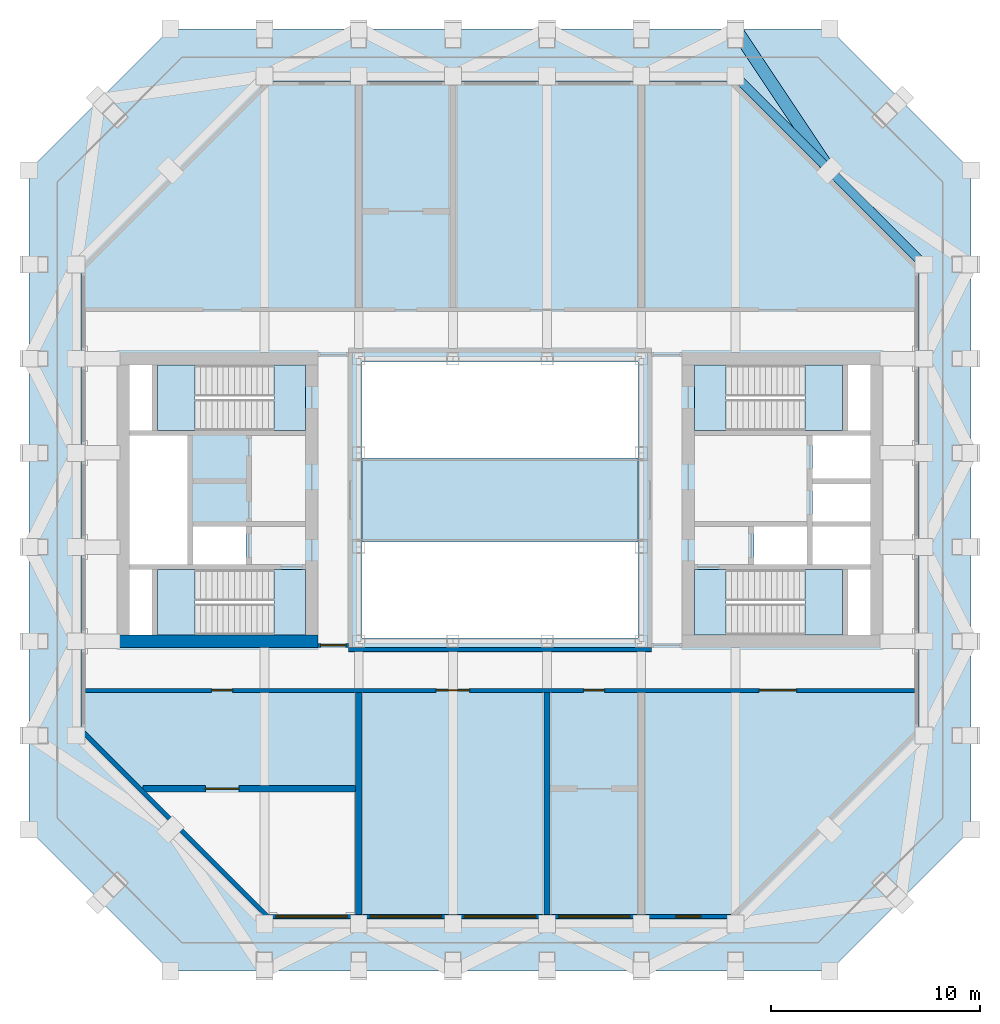
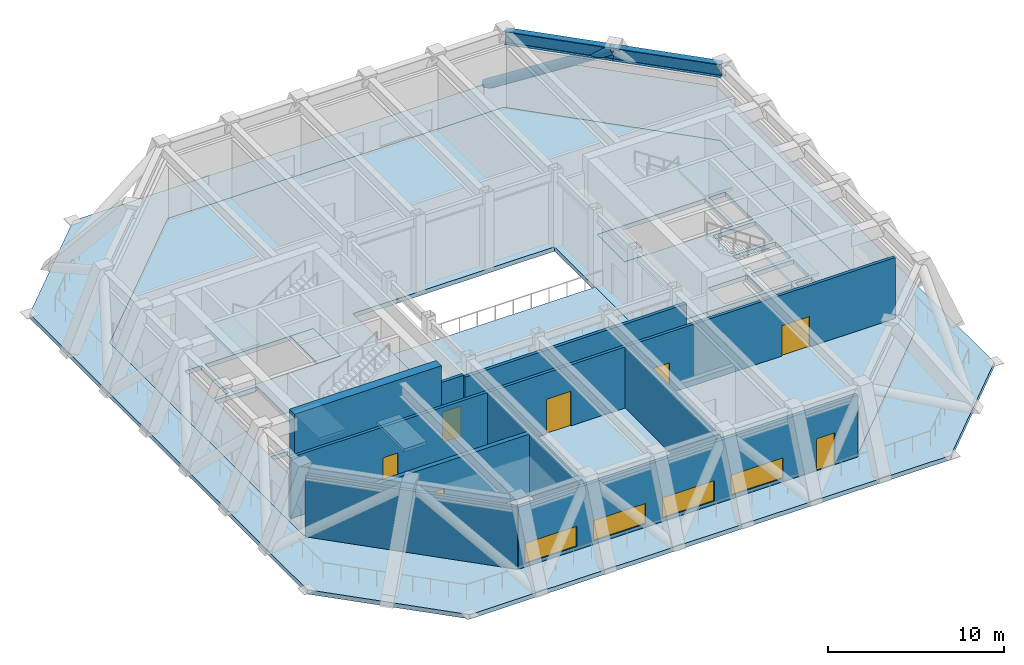
# One storey, part 2 of 8: 11 slabs, 9 walls, 7 doors, 4 windows, 2 beams, 1 member, 11 openings, 4 elements without a shape of their own.
"""IFC4 building model written with IfcOpenShell, lengths in metres."""

from ifc_helpers import new_model, si_unit, direction, frame, frame_2d, origin, origin_2d, place, context, subcontext, project, spatial, polyline, rectangle, hollow_circle, i_section, outline, extrude, material, layer, layer_set, material_profile, profile_set, type_object, element, fill, aggregate, save


model = new_model("IFC4")

# Units and contexts
model_context = context("Model", 3, precision=1e-05, world=origin(), true_north=direction((0.0, 1.0)))
body_context = subcontext(model_context, "Body", "Model", "MODEL_VIEW")
ifc_project = project(units=[si_unit("LENGTHUNIT", "METRE"), si_unit("AREAUNIT", "SQUARE_METRE"), si_unit("VOLUMEUNIT", "CUBIC_METRE"), si_unit("PLANEANGLEUNIT", "RADIAN"), si_unit("MASSUNIT", "GRAM", prefix="KILO")], contexts=[model_context])

# Site, building, storey
site_placement = place(None, origin())
site = spatial("IfcSite", under=ifc_project, at=site_placement, CompositionType="ELEMENT")
building_placement = place(site_placement, origin())
building = spatial("IfcBuilding", under=site, at=building_placement, Name="Msasa Ring Tower", CompositionType="ELEMENT")
storey_placement = place(building_placement, frame((0.0, 0.0, 190.39990234375)))
storey = spatial("IfcBuildingStorey", under=building, at=storey_placement, Name="L50", CompositionType="ELEMENT", Elevation=190.39990234375)

# Member
ifc_material_1 = material(Name="Steel S355", Category="steel")
ifc_material_profile_1 = material_profile(ifc_material_1, hollow_circle(Radius=0.304931640625, WallThickness=0.0400390625, at=origin_2d()), Name="CHS 610x40")
ifc_profile_set_1 = profile_set([ifc_material_profile_1], Name="Steel S355")
member_type = type_object("IfcMemberType", Name="BR2 CHS 610x40", PredefinedType="BRACE", material=ifc_profile_set_1)
member_placement = place(storey_placement, frame((11.25, 22.5, 0.0), z_axis=(0.473781052672, -0.710671579008, 0.520074437864), x_axis=(0.832050294338, 0.554700196225, 0.0)))
element("IfcMember", 1, at=member_placement, inside=storey, type_object=member_type, Name="Belt brace NE L50", PredefinedType="BRACE", context=body_context, shape_type="SweptSolid", body=[
    extrude(hollow_circle(Radius=0.304931640625, WallThickness=0.0400390625, at=origin_2d()), origin(), (0.0, 0.0, 1.0), 9.498046875),
])

# Beams
ifc_material_2 = material(Name="Steel S355", Category="steel")
ifc_material_profile_2 = material_profile(ifc_material_2, i_section(OverallWidth=0.42041015625, OverallDepth=0.9208984375, WebThickness=0.021484375, FlangeThickness=0.03662109375, FilletRadius=0.024169921875, at=origin_2d()), Name="UB 914x419x388")
ifc_profile_set_2 = profile_set([ifc_material_profile_2], Name="Steel S355")
beam_type = type_object("IfcBeamType", Name="SB1 UB 914x419x388", PredefinedType="SPANDREL", material=ifc_profile_set_2)
for number, where, z_axis, x_axis, name in (
    (2, (20.25, 11.25, 4.689697265625), (-0.707106781187, 0.707106781187, 0.0), (-0.707106781187, -0.707106781187, 0.0), "Spandrel E+11.25 to NE under L51"),
    (3, (15.75, 15.75, 4.689697265625), (-0.707106781187, 0.707106781187, 0.0), (-0.707106781187, -0.707106781187, 0.0), "Spandrel NE to N+11.25 under L51"),
):
    element("IfcBeam", number, at=place(storey_placement, frame(where, z_axis=z_axis, x_axis=x_axis)), inside=storey, type_object=beam_type, Name=name, PredefinedType="SPANDREL", context=body_context, shape_type="SweptSolid", body=[
        extrude(i_section(OverallWidth=0.42041015625, OverallDepth=0.9208984375, WebThickness=0.021484375, FlangeThickness=0.03662109375, FilletRadius=0.024169921875, at=origin_2d()), origin(), (0.0, 0.0, 1.0), 6.364013671875),
    ])

# Slab
ifc_material_3 = material(Name="Concrete C40/50", Category="concrete")
ifc_layer_1 = layer(ifc_material_3, 0.300048828125)
ifc_layer_set_1 = layer_set([ifc_layer_1], Name="BS1 WELL BRIDGE 300")
slab_type_1 = type_object("IfcSlabType", Name="BS1 WELL BRIDGE 300", PredefinedType="FLOOR", material=ifc_layer_set_1)
slab_1_placement = place(storey_placement, frame((0.0, 0.0, -0.2998046875)))
element("IfcSlab", 4, at=slab_1_placement, inside=storey, type_object=slab_type_1, Name="Well bridge L50", PredefinedType="FLOOR", context=body_context, shape_type="SweptSolid", body=[
    extrude(outline(polyline([(-6.60009765625, -2.0), (6.60009765625, -2.0), (6.60009765625, 2.0), (-6.60009765625, 2.0), (-6.60009765625, -2.0)])), origin(), (0.0, 0.0, 1.0), 0.2998046875),
])

# Stair, slabs
ifc_material_4 = material(Name="Concrete C40/50", Category="concrete")
stair_type = type_object("IfcStairType", Name="STC CORE STAIR 30 RISERS 180", PredefinedType="HALF_TURN_STAIR", material=ifc_material_4)
stair_1_placement = place(storey_placement, origin())
stair_1 = element("IfcStair", 5, at=stair_1_placement, inside=storey, type_object=stair_type, Name="Core stair SEA L50", PredefinedType="HALF_TURN_STAIR")
ifc_material_5 = material(Name="Concrete C40/50", Category="concrete")
ifc_layer_2 = layer(ifc_material_5, 0.199951171875)
ifc_layer_set_2 = layer_set([ifc_layer_2], Name="LD1 CORE STAIR LANDING 200")
slab_type_2 = type_object("IfcSlabType", Name="LD1 CORE STAIR LANDING 200", PredefinedType="LANDING", material=ifc_layer_set_2)
slab_2_placement = place(storey_placement, frame((0.0, 0.0, -0.199951171875)))
slab_2 = element("IfcSlab", 6, at=slab_2_placement, type_object=slab_type_2, Name="SEA landing 1", PredefinedType="LANDING", context=body_context, shape_type="SweptSolid", body=[
    extrude(outline(polyline([(9.300048828125, -6.449951171875), (10.800048828125, -6.449951171875), (10.800048828125, -3.324951171875), (9.300048828125, -3.324951171875), (9.300048828125, -6.449951171875)])), origin(), (0.0, 0.0, 1.0), 0.199951171875),
])
slab_3_placement = place(storey_placement, frame((0.0, 0.0, 2.5)))
slab_3 = element("IfcSlab", 7, at=slab_3_placement, type_object=slab_type_2, Name="SEA landing 2", PredefinedType="LANDING", context=body_context, shape_type="SweptSolid", body=[
    extrude(outline(polyline([(14.580078125, -6.449951171875), (16.375, -6.449951171875), (16.375, -3.324951171875), (14.580078125, -3.324951171875), (14.580078125, -6.449951171875)])), origin(), (0.0, 0.0, 1.0), 0.2001953125),
])
aggregate(stair_1, [slab_2, slab_3])

stair_2_placement = place(storey_placement, origin())
stair_2 = element("IfcStair", 8, at=stair_2_placement, inside=storey, type_object=stair_type, Name="Core stair SEB L50", PredefinedType="HALF_TURN_STAIR")
slab_4_placement = place(storey_placement, frame((0.0, 0.0, -0.199951171875)))
slab_4 = element("IfcSlab", 9, at=slab_4_placement, type_object=slab_type_2, Name="SEB landing 1", PredefinedType="LANDING", context=body_context, shape_type="SweptSolid", body=[
    extrude(outline(polyline([(9.300048828125, 3.324951171875), (10.800048828125, 3.324951171875), (10.800048828125, 6.449951171875), (9.300048828125, 6.449951171875), (9.300048828125, 3.324951171875)])), origin(), (0.0, 0.0, 1.0), 0.199951171875),
])
slab_5_placement = place(storey_placement, frame((0.0, 0.0, 2.5)))
slab_5 = element("IfcSlab", 10, at=slab_5_placement, type_object=slab_type_2, Name="SEB landing 2", PredefinedType="LANDING", context=body_context, shape_type="SweptSolid", body=[
    extrude(outline(polyline([(14.580078125, 3.324951171875), (16.375, 3.324951171875), (16.375, 6.449951171875), (14.580078125, 6.449951171875), (14.580078125, 3.324951171875)])), origin(), (0.0, 0.0, 1.0), 0.2001953125),
])
aggregate(stair_2, [slab_4, slab_5])

stair_3_placement = place(storey_placement, origin())
stair_3 = element("IfcStair", 11, at=stair_3_placement, inside=storey, type_object=stair_type, Name="Core stair SWA L50", PredefinedType="HALF_TURN_STAIR")
slab_6_placement = place(storey_placement, frame((0.0, 0.0, -0.199951171875)))
slab_6 = element("IfcSlab", 12, at=slab_6_placement, type_object=slab_type_2, Name="SWA landing 1", PredefinedType="LANDING", context=body_context, shape_type="SweptSolid", body=[
    extrude(outline(polyline([(-10.800048828125, -6.449951171875), (-9.300048828125, -6.449951171875), (-9.300048828125, -3.324951171875), (-10.800048828125, -3.324951171875), (-10.800048828125, -6.449951171875)])), origin(), (0.0, 0.0, 1.0), 0.199951171875),
])
slab_7_placement = place(storey_placement, frame((0.0, 0.0, 2.5)))
slab_7 = element("IfcSlab", 13, at=slab_7_placement, type_object=slab_type_2, Name="SWA landing 2", PredefinedType="LANDING", context=body_context, shape_type="SweptSolid", body=[
    extrude(outline(polyline([(-16.375, -6.449951171875), (-14.580078125, -6.449951171875), (-14.580078125, -3.324951171875), (-16.375, -3.324951171875), (-16.375, -6.449951171875)])), origin(), (0.0, 0.0, 1.0), 0.2001953125),
])
aggregate(stair_3, [slab_6, slab_7])

stair_4_placement = place(storey_placement, origin())
stair_4 = element("IfcStair", 14, at=stair_4_placement, inside=storey, type_object=stair_type, Name="Core stair SWB L50", PredefinedType="HALF_TURN_STAIR")
slab_8_placement = place(storey_placement, frame((0.0, 0.0, -0.199951171875)))
slab_8 = element("IfcSlab", 15, at=slab_8_placement, type_object=slab_type_2, Name="SWB landing 1", PredefinedType="LANDING", context=body_context, shape_type="SweptSolid", body=[
    extrude(outline(polyline([(-10.800048828125, 3.324951171875), (-9.300048828125, 3.324951171875), (-9.300048828125, 6.449951171875), (-10.800048828125, 6.449951171875), (-10.800048828125, 3.324951171875)])), origin(), (0.0, 0.0, 1.0), 0.199951171875),
])
slab_9_placement = place(storey_placement, frame((0.0, 0.0, 2.5)))
slab_9 = element("IfcSlab", 16, at=slab_9_placement, type_object=slab_type_2, Name="SWB landing 2", PredefinedType="LANDING", context=body_context, shape_type="SweptSolid", body=[
    extrude(outline(polyline([(-16.375, 3.324951171875), (-14.580078125, 3.324951171875), (-14.580078125, 6.449951171875), (-16.375, 6.449951171875), (-16.375, 3.324951171875)])), origin(), (0.0, 0.0, 1.0), 0.2001953125),
])
aggregate(stair_4, [slab_8, slab_9])

# Slabs
ifc_material_6 = material(Name="Concrete C40/50", Category="concrete")
ifc_layer_3 = layer(ifc_material_6, 0.300048828125)
ifc_layer_set_3 = layer_set([ifc_layer_3], Name="S5 PLANT FLOOR 300")
slab_type_3 = type_object("IfcSlabType", Name="S5 PLANT FLOOR 300", PredefinedType="FLOOR", material=ifc_layer_set_3)
slab_10_placement = place(storey_placement, frame((0.0, 0.0, -0.2998046875)))
element("IfcSlab", 17, at=slab_10_placement, inside=storey, type_object=slab_type_3, Name="Plant floor slab L50", PredefinedType="FLOOR", context=body_context, shape_type="SweptSolid", body=[
    extrude(outline(polyline([(-11.0, -20.0), (11.0, -20.0), (20.0, -11.0), (20.0, 11.0), (11.0, 20.0), (-11.0, 20.0), (-20.0, 11.0), (-20.0, -11.0), (-11.0, -20.0)]), holes=[polyline([(-6.60009765625, -6.60009765625), (6.60009765625, -6.60009765625), (6.60009765625, 6.60009765625), (-6.60009765625, 6.60009765625), (-6.60009765625, -6.60009765625)]), polyline([(9.300048828125, -6.449951171875), (16.375, -6.449951171875), (16.375, -3.324951171875), (9.300048828125, -3.324951171875), (9.300048828125, -6.449951171875)]), polyline([(9.300048828125, 3.324951171875), (16.375, 3.324951171875), (16.375, 6.449951171875), (9.300048828125, 6.449951171875), (9.300048828125, 3.324951171875)]), polyline([(12.125, -3.074951171875), (14.675048828125, -3.074951171875), (14.675048828125, -1.27490234375), (12.125, -1.27490234375), (12.125, -3.074951171875)]), polyline([(16.625, -6.449951171875), (17.699951171875, -6.449951171875), (17.699951171875, -3.324951171875), (16.625, -3.324951171875), (16.625, -6.449951171875)]), polyline([(16.625, 3.324951171875), (17.699951171875, 3.324951171875), (17.699951171875, 6.449951171875), (16.625, 6.449951171875), (16.625, 3.324951171875)]), polyline([(14.925048828125, -3.074951171875), (17.699951171875, -3.074951171875), (17.699951171875, -1.27490234375), (14.925048828125, -1.27490234375), (14.925048828125, -3.074951171875)]), polyline([(14.925048828125, -1.02490234375), (17.699951171875, -1.02490234375), (17.699951171875, 0.77490234375), (14.925048828125, 0.77490234375), (14.925048828125, -1.02490234375)]), polyline([(14.925048828125, 1.02490234375), (17.699951171875, 1.02490234375), (17.699951171875, 3.074951171875), (14.925048828125, 3.074951171875), (14.925048828125, 1.02490234375)]), polyline([(-16.375, -6.449951171875), (-9.300048828125, -6.449951171875), (-9.300048828125, -3.324951171875), (-16.375, -3.324951171875), (-16.375, -6.449951171875)]), polyline([(-16.375, 3.324951171875), (-9.300048828125, 3.324951171875), (-9.300048828125, 6.449951171875), (-16.375, 6.449951171875), (-16.375, 3.324951171875)]), polyline([(-14.675048828125, -3.074951171875), (-12.125, -3.074951171875), (-12.125, -1.27490234375), (-14.675048828125, -1.27490234375), (-14.675048828125, -3.074951171875)]), polyline([(-17.699951171875, -6.449951171875), (-16.625, -6.449951171875), (-16.625, -3.324951171875), (-17.699951171875, -3.324951171875), (-17.699951171875, -6.449951171875)]), polyline([(-17.699951171875, 3.324951171875), (-16.625, 3.324951171875), (-16.625, 6.449951171875), (-17.699951171875, 6.449951171875), (-17.699951171875, 3.324951171875)]), polyline([(-17.699951171875, -3.074951171875), (-14.925048828125, -3.074951171875), (-14.925048828125, 3.074951171875), (-17.699951171875, 3.074951171875), (-17.699951171875, -3.074951171875)])]), origin(), (0.0, 0.0, 1.0), 0.2998046875),
])
ifc_material_7 = material(Name="Concrete C40/50", Category="concrete")
ifc_layer_4 = layer(ifc_material_7, 0.300048828125)
ifc_layer_set_4 = layer_set([ifc_layer_4], Name="TS3 REFUGE TERRACE 300")
slab_type_4 = type_object("IfcSlabType", Name="TS3 REFUGE TERRACE 300", PredefinedType="FLOOR", material=ifc_layer_set_4)
slab_11_placement = place(storey_placement, frame((0.0, 0.0, -0.2998046875)))
element("IfcSlab", 18, at=slab_11_placement, inside=storey, type_object=slab_type_4, Name="Refuge terrace L50", PredefinedType="FLOOR", context=body_context, shape_type="SweptSolid", body=[
    extrude(outline(polyline([(-15.75, -22.5), (15.75, -22.5), (22.5, -15.75), (22.5, 15.75), (15.75, 22.5), (-15.75, 22.5), (-22.5, 15.75), (-22.5, -15.75), (-15.75, -22.5)]), holes=[polyline([(-11.0, -20.0), (11.0, -20.0), (20.0, -11.0), (20.0, 11.0), (11.0, 20.0), (-11.0, 20.0), (-20.0, 11.0), (-20.0, -11.0), (-11.0, -20.0)])]), origin(), (0.0, 0.0, 1.0), 0.2998046875),
])

# Wall
ifc_material_8 = material(Name="Concrete C60/75", Category="concrete")
ifc_layer_5 = layer(ifc_material_8, 0.60009765625)
ifc_layer_set_5 = layer_set([ifc_layer_5], Name="CW2 CORE WALL 600")
wall_type_1 = type_object("IfcWallType", Name="CW2 CORE WALL 600", PredefinedType="SHEAR", material=ifc_layer_set_5)
wall_1_placement = place(storey_placement, frame((-8.699951171875, -6.75, 0.0), z_axis=(0.0, 0.0, 1.0), x_axis=(-1.0, 0.0, 0.0)))
element("IfcWall", 19, at=wall_1_placement, inside=storey, type_object=wall_type_1, Name="W core wall S L50", PredefinedType="SHEAR", context=body_context, shape_type="SweptSolid", body=[
    extrude(rectangle(XDim=9.60009765625, YDim=0.60009765625, at=frame_2d((4.800048828125, 0.0))), origin(), (0.0, 0.0, 1.0), 5.400146484375),
])

# Wall, openings, door, windows
ifc_material_9 = material(Name="Terracotta rainscreen on blockwork", Category="masonry")
ifc_layer_6 = layer(ifc_material_9, 0.199951171875)
ifc_layer_set_6 = layer_set([ifc_layer_6], Name="FW3 PLANT FLOOR WALL 200")
wall_type_2 = type_object("IfcWallType", Name="FW3 PLANT FLOOR WALL 200", PredefinedType="SOLIDWALL", material=ifc_layer_set_6)
wall_2_placement = place(storey_placement, frame((-11.10498046875, -19.89990234375, 0.0), z_axis=(0.0, 0.0, 1.0), x_axis=(1.0, 0.0, 0.0)))
wall_2 = element("IfcWall", 20, at=wall_2_placement, inside=storey, type_object=wall_type_2, Name="Plant floor wall S L50", PredefinedType="SOLIDWALL", context=body_context, shape_type="SweptSolid", body=[
    extrude(rectangle(XDim=22.2099609375, YDim=0.199951171875, at=frame_2d((11.10498046875, 0.0))), origin(), (0.0, 0.0, 1.0), 4.29931640625),
])
opening_1_placement = place(wall_2_placement, frame((0.405029296875, 0.0, 0.25)))
opening_1 = element("IfcOpeningElement", 21, at=opening_1_placement, cuts=wall_2, Name="Opening LV1", PredefinedType="OPENING", context=body_context, shape_type="SweptSolid", body=[
    extrude(rectangle(XDim=3.39990234375, YDim=1.39990234375, at=frame_2d((1.699951171875, 0.699951171875))), frame((0.0, 0.10986328125, 0.0), z_axis=(0.0, -1.0, 0.0), x_axis=(1.0, 0.0, 0.0)), (0.0, 0.0, 1.0), 0.219970703125),
])
opening_2_placement = place(wall_2_placement, frame((4.905029296875, 0.0, 0.25)))
opening_2 = element("IfcOpeningElement", 22, at=opening_2_placement, cuts=wall_2, Name="Opening LV1", PredefinedType="OPENING", context=body_context, shape_type="SweptSolid", body=[
    extrude(rectangle(XDim=3.39990234375, YDim=1.39990234375, at=frame_2d((1.699951171875, 0.699951171875))), frame((0.0, 0.10986328125, 0.0), z_axis=(0.0, -1.0, 0.0), x_axis=(1.0, 0.0, 0.0)), (0.0, 0.0, 1.0), 0.219970703125),
])
opening_3_placement = place(wall_2_placement, frame((9.405029296875, 0.0, 0.25)))
opening_3 = element("IfcOpeningElement", 23, at=opening_3_placement, cuts=wall_2, Name="Opening LV1", PredefinedType="OPENING", context=body_context, shape_type="SweptSolid", body=[
    extrude(rectangle(XDim=3.39990234375, YDim=1.39990234375, at=frame_2d((1.699951171875, 0.699951171875))), frame((0.0, 0.10986328125, 0.0), z_axis=(0.0, -1.0, 0.0), x_axis=(1.0, 0.0, 0.0)), (0.0, 0.0, 1.0), 0.219970703125),
])
opening_4_placement = place(wall_2_placement, frame((13.905029296875, 0.0, 0.25)))
opening_4 = element("IfcOpeningElement", 24, at=opening_4_placement, cuts=wall_2, Name="Opening LV1", PredefinedType="OPENING", context=body_context, shape_type="SweptSolid", body=[
    extrude(rectangle(XDim=3.39990234375, YDim=1.39990234375, at=frame_2d((1.699951171875, 0.699951171875))), frame((0.0, 0.10986328125, 0.0), z_axis=(0.0, -1.0, 0.0), x_axis=(1.0, 0.0, 0.0)), (0.0, 0.0, 1.0), 0.219970703125),
])
opening_5_placement = place(wall_2_placement, frame((19.5048828125, 0.0, 0.0)))
opening_5 = element("IfcOpeningElement", 25, at=opening_5_placement, cuts=wall_2, Name="Opening L50-030", PredefinedType="OPENING", context=body_context, shape_type="SweptSolid", body=[
    extrude(rectangle(XDim=1.199951171875, YDim=2.199951171875, at=frame_2d((0.60009765625, 1.10009765625))), frame((0.0, 0.10986328125, 0.0), z_axis=(0.0, -1.0, 0.0), x_axis=(1.0, 0.0, 0.0)), (0.0, 0.0, 1.0), 0.219970703125),
])
ifc_material_10 = material(Name="Aluminium frame with clear glass", Category="aluminium")
door_type_1 = type_object("IfcDoorType", Name="ED2 REFUGE DOOR 1200x2200", OperationType="SINGLE_SWING_LEFT", PredefinedType="DOOR", material=ifc_material_10)
door_1_placement = place(opening_5_placement, origin())
door_1 = element("IfcDoor", 26, at=door_1_placement, inside=storey, type_object=door_type_1, Name="Refuge terrace door S L50", OperationType="SINGLE_SWING_RIGHT", OverallHeight=2.199951171875, OverallWidth=1.199951171875, PredefinedType="DOOR", context=body_context, shape_type="SweptSolid", body=[
    extrude(rectangle(XDim=1.199951171875, YDim=2.199951171875, at=frame_2d((0.60009765625, 1.10009765625))), frame((0.0, 0.02490234375, 0.0), z_axis=(0.0, -1.0, 0.0), x_axis=(1.0, 0.0, 0.0)), (0.0, 0.0, 1.0), 0.050048828125),
])
fill(opening_5, door_1)
ifc_material_11 = material(Name="Aluminium weather louvre", Category="aluminium")
window_type = type_object("IfcWindowType", Name="LV1 PLANT LOUVRE 3400x1400", PartitioningType="SINGLE_PANEL", PredefinedType="USERDEFINED", material=ifc_material_11)
window_1_placement = place(opening_1_placement, origin())
window_1 = element("IfcWindow", 27, at=window_1_placement, inside=storey, type_object=window_type, Name="Plant louvre S L50 00", ObjectType="LOUVRE", OverallHeight=1.39990234375, OverallWidth=3.39990234375, PartitioningType="SINGLE_PANEL", PredefinedType="USERDEFINED", context=body_context, shape_type="SweptSolid", body=[
    extrude(rectangle(XDim=3.39990234375, YDim=1.39990234375, at=frame_2d((1.699951171875, 0.699951171875))), frame((0.0, 0.030029296875, 0.0), z_axis=(0.0, -1.0, 0.0), x_axis=(1.0, 0.0, 0.0)), (0.0, 0.0, 1.0), 0.06005859375),
])
fill(opening_1, window_1)
window_2_placement = place(opening_2_placement, origin())
window_2 = element("IfcWindow", 28, at=window_2_placement, inside=storey, type_object=window_type, Name="Plant louvre S L50 01", ObjectType="LOUVRE", OverallHeight=1.39990234375, OverallWidth=3.39990234375, PartitioningType="SINGLE_PANEL", PredefinedType="USERDEFINED", context=body_context, shape_type="SweptSolid", body=[
    extrude(rectangle(XDim=3.39990234375, YDim=1.39990234375, at=frame_2d((1.699951171875, 0.699951171875))), frame((0.0, 0.030029296875, 0.0), z_axis=(0.0, -1.0, 0.0), x_axis=(1.0, 0.0, 0.0)), (0.0, 0.0, 1.0), 0.06005859375),
])
fill(opening_2, window_2)
window_3_placement = place(opening_3_placement, origin())
window_3 = element("IfcWindow", 29, at=window_3_placement, inside=storey, type_object=window_type, Name="Plant louvre S L50 02", ObjectType="LOUVRE", OverallHeight=1.39990234375, OverallWidth=3.39990234375, PartitioningType="SINGLE_PANEL", PredefinedType="USERDEFINED", context=body_context, shape_type="SweptSolid", body=[
    extrude(rectangle(XDim=3.39990234375, YDim=1.39990234375, at=frame_2d((1.699951171875, 0.699951171875))), frame((0.0, 0.030029296875, 0.0), z_axis=(0.0, -1.0, 0.0), x_axis=(1.0, 0.0, 0.0)), (0.0, 0.0, 1.0), 0.06005859375),
])
fill(opening_3, window_3)
window_4_placement = place(opening_4_placement, origin())
window_4 = element("IfcWindow", 30, at=window_4_placement, inside=storey, type_object=window_type, Name="Plant louvre S L50 03", ObjectType="LOUVRE", OverallHeight=1.39990234375, OverallWidth=3.39990234375, PartitioningType="SINGLE_PANEL", PredefinedType="USERDEFINED", context=body_context, shape_type="SweptSolid", body=[
    extrude(rectangle(XDim=3.39990234375, YDim=1.39990234375, at=frame_2d((1.699951171875, 0.699951171875))), frame((0.0, 0.030029296875, 0.0), z_axis=(0.0, -1.0, 0.0), x_axis=(1.0, 0.0, 0.0)), (0.0, 0.0, 1.0), 0.06005859375),
])
fill(opening_4, window_4)

# Walls
wall_3_placement = place(storey_placement, frame((-19.89990234375, -11.10498046875, 0.0), z_axis=(0.0, 0.0, 1.0), x_axis=(0.707106781187, -0.707106781187, 0.0)))
element("IfcWall", 31, at=wall_3_placement, inside=storey, type_object=wall_type_2, Name="Plant floor wall SW L50", PredefinedType="SOLIDWALL", context=body_context, shape_type="SweptSolid", body=[
    extrude(rectangle(XDim=12.43798828125, YDim=0.199951171875, at=frame_2d((6.218994140625, 0.0))), origin(), (0.0, 0.0, 1.0), 4.29931640625),
])
ifc_material_12 = material(Name="Terracotta rainscreen on blockwork", Category="masonry")
ifc_layer_7 = layer(ifc_material_12, 0.199951171875)
ifc_layer_set_7 = layer_set([ifc_layer_7], Name="FW4 LIGHT WELL WALL 200")
wall_type_3 = type_object("IfcWallType", Name="FW4 LIGHT WELL WALL 200", PredefinedType="SOLIDWALL", material=ifc_layer_set_7)
wall_4_placement = place(storey_placement, frame((-7.25, -7.14990234375, 0.0), z_axis=(0.0, 0.0, 1.0), x_axis=(1.0, 0.0, 0.0)))
element("IfcWall", 32, at=wall_4_placement, inside=storey, type_object=wall_type_3, Name="Light well wall S L50", PredefinedType="SOLIDWALL", context=body_context, shape_type="SweptSolid", body=[
    extrude(rectangle(XDim=14.5, YDim=0.199951171875, at=frame_2d((7.25, 0.0))), origin(), (0.0, 0.0, 1.0), 4.22900390625),
])

# Wall, opening, door
ifc_material_13 = material(Name="Concrete blockwork", Category="masonry")
ifc_layer_8 = layer(ifc_material_13, 0.199951171875)
ifc_layer_set_8 = layer_set([ifc_layer_8], Name="PT1 CORRIDOR WALL 200")
wall_type_4 = type_object("IfcWallType", Name="PT1 CORRIDOR WALL 200", PredefinedType="PARTITIONING", material=ifc_layer_set_8)
wall_5_placement = place(storey_placement, frame((-8.699951171875, -6.949951171875, 0.0), z_axis=(0.0, 0.0, 1.0), x_axis=(1.0, 0.0, 0.0)))
wall_5 = element("IfcWall", 33, at=wall_5_placement, inside=storey, type_object=wall_type_4, Name="Corridor wall L50-SDWS", PredefinedType="PARTITIONING", context=body_context, shape_type="SweptSolid", body=[
    extrude(rectangle(XDim=1.469970703125, YDim=0.199951171875, at=frame_2d((0.73486328125, 0.0))), origin(), (0.0, 0.0, 1.0), 4.22900390625),
])
opening_6_placement = place(wall_5_placement, frame((0.135009765625, 0.0, 0.0)))
opening_6 = element("IfcOpeningElement", 34, at=opening_6_placement, cuts=wall_5, Name="Opening L50-022", PredefinedType="OPENING", context=body_context, shape_type="SweptSolid", body=[
    extrude(rectangle(XDim=1.199951171875, YDim=2.10009765625, at=frame_2d((0.60009765625, 1.050048828125))), frame((0.0, 0.10986328125, 0.0), z_axis=(0.0, -1.0, 0.0), x_axis=(1.0, 0.0, 0.0)), (0.0, 0.0, 1.0), 0.219970703125),
])
ifc_material_14 = material(Name="Timber door leaf in a steel frame", Category="steel")
door_type_2 = type_object("IfcDoorType", Name="D25 CORRIDOR PAIR OF SMOKE DOORS 1200x2100", OperationType="DOUBLE_DOOR_DOUBLE_SWING", PredefinedType="DOOR", material=ifc_material_14)
door_2_placement = place(opening_6_placement, origin())
door_2 = element("IfcDoor", 35, at=door_2_placement, inside=storey, type_object=door_type_2, Name="Door L50-SDWS", OperationType="DOUBLE_DOOR_DOUBLE_SWING", OverallHeight=2.10009765625, OverallWidth=1.199951171875, PredefinedType="DOOR", context=body_context, shape_type="SweptSolid", body=[
    extrude(rectangle(XDim=1.199951171875, YDim=2.10009765625, at=frame_2d((0.60009765625, 1.050048828125))), frame((0.0, 0.02490234375, 0.0), z_axis=(0.0, -1.0, 0.0), x_axis=(1.0, 0.0, 0.0)), (0.0, 0.0, 1.0), 0.050048828125),
])
fill(opening_6, door_2)

# Wall, openings, doors
wall_6_placement = place(storey_placement, frame((-19.800048828125, -9.10009765625, 0.0), z_axis=(0.0, 0.0, 1.0), x_axis=(1.0, 0.0, 0.0)))
wall_6 = element("IfcWall", 36, at=wall_6_placement, inside=storey, type_object=wall_type_4, Name="Corridor wall L50-CORRS0", PredefinedType="PARTITIONING", context=body_context, shape_type="SweptSolid", body=[
    extrude(rectangle(XDim=39.60009765625, YDim=0.199951171875, at=frame_2d((19.800048828125, 0.0))), origin(), (0.0, 0.0, 1.0), 4.22900390625),
])
opening_7_placement = place(wall_6_placement, frame((6.02490234375, 0.0, 0.0)))
opening_7 = element("IfcOpeningElement", 37, at=opening_7_placement, cuts=wall_6, Name="Opening L50-024", PredefinedType="OPENING", context=body_context, shape_type="SweptSolid", body=[
    extrude(rectangle(XDim=1.0, YDim=2.10009765625, at=frame_2d((0.5, 1.050048828125))), frame((0.0, 0.10986328125, 0.0), z_axis=(0.0, -1.0, 0.0), x_axis=(1.0, 0.0, 0.0)), (0.0, 0.0, 1.0), 0.219970703125),
])
opening_8_placement = place(wall_6_placement, frame((16.75, 0.0, 0.0)))
opening_8 = element("IfcOpeningElement", 38, at=opening_8_placement, cuts=wall_6, Name="Opening L50-025", PredefinedType="OPENING", context=body_context, shape_type="SweptSolid", body=[
    extrude(rectangle(XDim=1.60009765625, YDim=2.39990234375, at=frame_2d((0.800048828125, 1.199951171875))), frame((0.0, 0.10986328125, 0.0), z_axis=(0.0, -1.0, 0.0), x_axis=(1.0, 0.0, 0.0)), (0.0, 0.0, 1.0), 0.219970703125),
])
opening_9_placement = place(wall_6_placement, frame((23.800048828125, 0.0, 0.0)))
opening_9 = element("IfcOpeningElement", 39, at=opening_9_placement, cuts=wall_6, Name="Opening L50-026", PredefinedType="OPENING", context=body_context, shape_type="SweptSolid", body=[
    extrude(rectangle(XDim=1.0, YDim=2.10009765625, at=frame_2d((0.5, 1.050048828125))), frame((0.0, 0.10986328125, 0.0), z_axis=(0.0, -1.0, 0.0), x_axis=(1.0, 0.0, 0.0)), (0.0, 0.0, 1.0), 0.219970703125),
])
opening_10_placement = place(wall_6_placement, frame((32.175048828125, 0.0, 0.0)))
opening_10 = element("IfcOpeningElement", 40, at=opening_10_placement, cuts=wall_6, Name="Opening L50-027", PredefinedType="OPENING", context=body_context, shape_type="SweptSolid", body=[
    extrude(rectangle(XDim=1.800048828125, YDim=2.10009765625, at=frame_2d((0.89990234375, 1.050048828125))), frame((0.0, 0.10986328125, 0.0), z_axis=(0.0, -1.0, 0.0), x_axis=(1.0, 0.0, 0.0)), (0.0, 0.0, 1.0), 0.219970703125),
])
ifc_material_15 = material(Name="Timber door leaf in a steel frame", Category="steel")
door_type_3 = type_object("IfcDoorType", Name="D13 PLANT ROOM DOOR 1000x2100", OperationType="SINGLE_SWING_LEFT", PredefinedType="DOOR", material=ifc_material_15)
door_3_placement = place(opening_7_placement, origin())
door_3 = element("IfcDoor", 41, at=door_3_placement, inside=storey, type_object=door_type_3, Name="Door L50-PLS0A", OperationType="SINGLE_SWING_LEFT", OverallHeight=2.10009765625, OverallWidth=1.0, PredefinedType="DOOR", context=body_context, shape_type="SweptSolid", body=[
    extrude(rectangle(XDim=1.0, YDim=2.10009765625, at=frame_2d((0.5, 1.050048828125))), frame((0.0, 0.02490234375, 0.0), z_axis=(0.0, -1.0, 0.0), x_axis=(1.0, 0.0, 0.0)), (0.0, 0.0, 1.0), 0.050048828125),
])
fill(opening_7, door_3)
door_4_placement = place(opening_9_placement, origin())
door_4 = element("IfcDoor", 42, at=door_4_placement, inside=storey, type_object=door_type_3, Name="Door L50-PLS2A", OperationType="SINGLE_SWING_RIGHT", OverallHeight=2.10009765625, OverallWidth=1.0, PredefinedType="DOOR", context=body_context, shape_type="SweptSolid", body=[
    extrude(rectangle(XDim=1.0, YDim=2.10009765625, at=frame_2d((0.5, 1.050048828125))), frame((0.0, 0.02490234375, 0.0), z_axis=(0.0, -1.0, 0.0), x_axis=(1.0, 0.0, 0.0)), (0.0, 0.0, 1.0), 0.050048828125),
])
fill(opening_9, door_4)
ifc_material_16 = material(Name="Timber door leaf in a steel frame", Category="steel")
door_type_4 = type_object("IfcDoorType", Name="D20 PLANT ROOM PAIR OF DOORS 1600x2400", OperationType="SINGLE_SWING_LEFT", PredefinedType="DOOR", material=ifc_material_16)
door_5_placement = place(opening_8_placement, origin())
door_5 = element("IfcDoor", 43, at=door_5_placement, inside=storey, type_object=door_type_4, Name="Door L50-PLS1", OperationType="SINGLE_SWING_LEFT", OverallHeight=2.39990234375, OverallWidth=1.60009765625, PredefinedType="DOOR", context=body_context, shape_type="SweptSolid", body=[
    extrude(rectangle(XDim=1.60009765625, YDim=2.39990234375, at=frame_2d((0.800048828125, 1.199951171875))), frame((0.0, 0.02490234375, 0.0), z_axis=(0.0, -1.0, 0.0), x_axis=(1.0, 0.0, 0.0)), (0.0, 0.0, 1.0), 0.050048828125),
])
fill(opening_8, door_5)
ifc_material_17 = material(Name="Timber door leaf in a steel frame", Category="steel")
door_type_5 = type_object("IfcDoorType", Name="D51 REFUGE AREA PAIR OF DOORS 1800x2100", OperationType="SINGLE_SWING_LEFT", PredefinedType="DOOR", material=ifc_material_17)
door_6_placement = place(opening_10_placement, origin())
door_6 = element("IfcDoor", 44, at=door_6_placement, inside=storey, type_object=door_type_5, Name="Door L50-PLS3", OperationType="SINGLE_SWING_RIGHT", OverallHeight=2.10009765625, OverallWidth=1.800048828125, PredefinedType="DOOR", context=body_context, shape_type="SweptSolid", body=[
    extrude(rectangle(XDim=1.800048828125, YDim=2.10009765625, at=frame_2d((0.89990234375, 1.050048828125))), frame((0.0, 0.02490234375, 0.0), z_axis=(0.0, -1.0, 0.0), x_axis=(1.0, 0.0, 0.0)), (0.0, 0.0, 1.0), 0.050048828125),
])
fill(opening_10, door_6)

# Wall, opening, door
ifc_material_18 = material(Name="Dense concrete blockwork, fair faced", Category="masonry")
ifc_layer_9 = layer(ifc_material_18, 0.300048828125)
ifc_layer_set_9 = layer_set([ifc_layer_9], Name="PT7 PLANT ROOM WALL 300")
wall_type_5 = type_object("IfcWallType", Name="PT7 PLANT ROOM WALL 300", PredefinedType="PARTITIONING", material=ifc_layer_set_9)
wall_7_placement = place(storey_placement, frame((-17.063720703125, -13.800048828125, 0.0), z_axis=(0.0, 0.0, 1.0), x_axis=(1.0, 0.0, 0.0)))
wall_7 = element("IfcWall", 45, at=wall_7_placement, inside=storey, type_object=wall_type_5, Name="Partition L50-PLSS0", PredefinedType="PARTITIONING", context=body_context, shape_type="SweptSolid", body=[
    extrude(rectangle(XDim=10.163818359375, YDim=0.300048828125, at=frame_2d((5.08203125, 0.0))), origin(), (0.0, 0.0, 1.0), 4.22900390625),
])
opening_11_placement = place(wall_7_placement, frame((2.988525390625, 0.0, 0.0)))
opening_11 = element("IfcOpeningElement", 46, at=opening_11_placement, cuts=wall_7, Name="Opening L50-028", PredefinedType="OPENING", context=body_context, shape_type="SweptSolid", body=[
    extrude(rectangle(XDim=1.60009765625, YDim=2.39990234375, at=frame_2d((0.800048828125, 1.199951171875))), frame((0.0, 0.159912109375, 0.0), z_axis=(0.0, -1.0, 0.0), x_axis=(1.0, 0.0, 0.0)), (0.0, 0.0, 1.0), 0.320068359375),
])
door_7_placement = place(opening_11_placement, origin())
door_7 = element("IfcDoor", 47, at=door_7_placement, inside=storey, type_object=door_type_4, Name="Door L50-PLS0B", OperationType="SINGLE_SWING_LEFT", OverallHeight=2.39990234375, OverallWidth=1.60009765625, PredefinedType="DOOR", context=body_context, shape_type="SweptSolid", body=[
    extrude(rectangle(XDim=1.60009765625, YDim=2.39990234375, at=frame_2d((0.800048828125, 1.199951171875))), frame((0.0, 0.02490234375, 0.0), z_axis=(0.0, -1.0, 0.0), x_axis=(1.0, 0.0, 0.0)), (0.0, 0.0, 1.0), 0.050048828125),
])
fill(opening_11, door_7)

# Walls
for number, where, z_axis, x_axis, name in (
    (48, (-6.75, -19.800048828125, 0.0), (0.0, 0.0, 1.0), (0.0, 1.0, 0.0), "Partition L50-PLSW1"),
    (49, (2.25, -19.800048828125, 0.0), (0.0, 0.0, 1.0), (0.0, 1.0, 0.0), "Partition L50-PLSW2"),
):
    element("IfcWall", number, at=place(storey_placement, frame(where, z_axis=z_axis, x_axis=x_axis)), inside=storey, type_object=wall_type_5, Name=name, PredefinedType="PARTITIONING", context=body_context, shape_type="SweptSolid", body=[
        extrude(rectangle(XDim=10.60009765625, YDim=0.300048828125, at=frame_2d((5.300048828125, 0.0))), origin(), (0.0, 0.0, 1.0), 4.22900390625),
    ])

save(model, "model.ifc")
